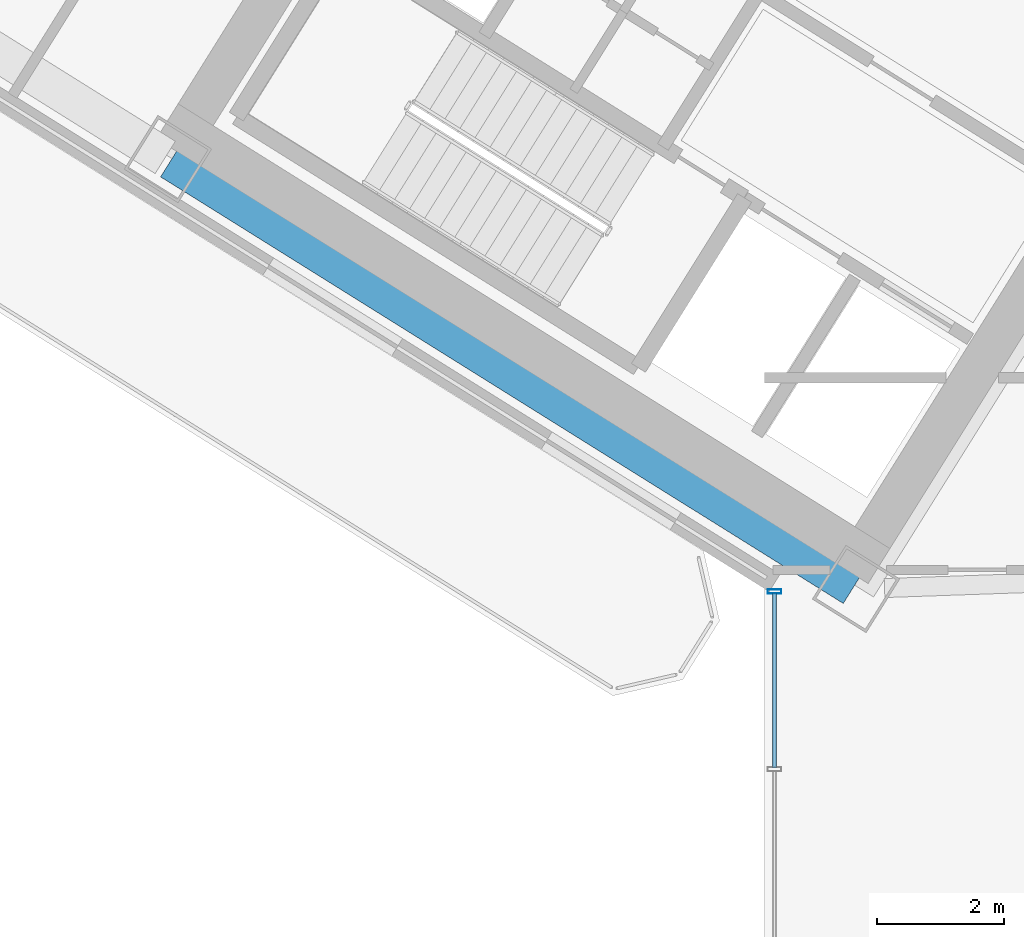
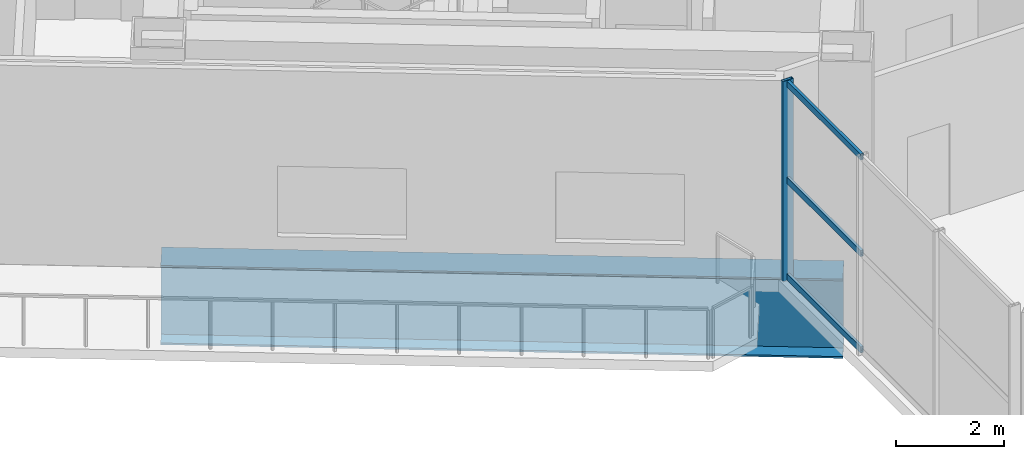
# One storey, part 5 of 22: 4 members, 1 beam, 1 element without a shape of its own.
"""IFC4 building model written with IfcOpenShell, lengths in metres."""

from ifc_helpers import new_model, si_unit, direction, frame, origin, origin_2d, place, context, subcontext, project, spatial, hollow_rectangle, i_section, extrude, source, transform, mapped, material, material_profile, profile_set, type_object, element, aggregate, save


model = new_model("IFC4")

# Units and contexts
model_context = context("Model", 3, precision=1e-05, world=origin(), true_north=direction((0.0, 1.0)))
body_context = subcontext(model_context, "Body", "Model", "MODEL_VIEW")
ifc_project = project(units=[si_unit("LENGTHUNIT", "METRE"), si_unit("AREAUNIT", "SQUARE_METRE"), si_unit("VOLUMEUNIT", "CUBIC_METRE"), si_unit("PLANEANGLEUNIT", "RADIAN"), si_unit("MASSUNIT", "GRAM", prefix="KILO")], contexts=[model_context])

# Site, building, storey
site_placement = place(None, origin())
site = spatial("IfcSite", under=ifc_project, at=site_placement, CompositionType="ELEMENT")
building_placement = place(site_placement, origin())
building = spatial("IfcBuilding", under=site, at=building_placement, Name="Tlacorven Tower", CompositionType="ELEMENT")
storey_placement = place(building_placement, frame((0.0, 0.0, 71.699951171875)))
storey = spatial("IfcBuildingStorey", under=building, at=storey_placement, Name="L18", CompositionType="ELEMENT", Elevation=71.699951171875)

# Beam
ifc_material_1 = material(Name="Steel S460M", Category="steel")
ifc_material_profile_1 = material_profile(ifc_material_1, i_section(OverallWidth=0.60009765625, OverallDepth=1.800048828125, WebThickness=0.028076171875, FlangeThickness=0.0400390625, at=origin_2d()), Name="PG 1800X600X28X40")
ifc_profile_set_1 = profile_set([ifc_material_profile_1], Name="Steel S460M")
beam_type = type_object("IfcBeamType", Name="BM-TRG-1800", PredefinedType="USERDEFINED", material=ifc_profile_set_1)
shared_shape_1 = source(origin(), body_context, "Body", "SweptSolid", [
    extrude(i_section(OverallWidth=0.60009765625, OverallDepth=1.800048828125, WebThickness=0.028076171875, FlangeThickness=0.0400390625, at=origin_2d()), origin(), (0.0, 0.0, 1.0), 12.699951171875),
])
beam_placement = place(storey_placement, frame((33.003662109375, 12.11328125, -1.179931640625), z_axis=(-0.848043660692, 0.529926362394, 0.0), x_axis=(-0.529926362394, -0.848043660692, 0.0)))
element("IfcBeam", 1, at=beam_placement, inside=storey, type_object=beam_type, Name="L18 beam BM-L18-WL4-1", ObjectType="TRANSFER GIRDER", PredefinedType="USERDEFINED", context=body_context, shape_type="MappedRepresentation", body=[
    mapped(shared_shape_1, transform((0.0, 0.0, 0.0), scale=1.0)),
])

# Curtain wall, members
ifc_material_2 = material(Name="Dark solar low-E double glazing in aluminium frame", Category="aluminium")
curtain_wall_type = type_object("IfcCurtainWallType", Name="CW-TWR-LOW", PredefinedType="USERDEFINED", material=ifc_material_2)
curtain_wall_placement = place(storey_placement, origin())
curtain_wall = element("IfcCurtainWall", 2, at=curtain_wall_placement, inside=storey, type_object=curtain_wall_type, Name="L18 CW-TWR-LOW Curtain Wall 102", ObjectType="UNITISED CURTAIN WALL", PredefinedType="USERDEFINED")
ifc_material_3 = material(Name="Aluminium 6063-T6 anodised", Category="aluminium")
ifc_material_profile_2 = material_profile(ifc_material_3, hollow_rectangle(XDim=0.070068359375, YDim=0.219970703125, WallThickness=0.0048828125, at=origin_2d()), Name="ALU MULLION 70X220")
ifc_profile_set_2 = profile_set([ifc_material_profile_2], Name="Aluminium 6063-T6 anodised")
member_type_1 = type_object("IfcMemberType", Name="CWM-01", PredefinedType="MULLION", material=ifc_profile_set_2)
shared_shape_2 = source(origin(), body_context, "Body", "SweptSolid", [
    extrude(hollow_rectangle(XDim=0.070068359375, YDim=0.219970703125, WallThickness=0.0048828125, at=origin_2d()), origin(), (0.0, 0.0, 1.0), 4.550048828125),
])
member_1_placement = place(storey_placement, frame((31.760009765625, 12.048095703125, -0.02001953125), z_axis=(0.0, 0.0, 1.0), x_axis=(0.0, 1.0, 0.0)))
member_1 = element("IfcMember", 3, at=member_1_placement, type_object=member_type_1, Name="CW-L18-102 Mullion 4", PredefinedType="MULLION", context=body_context, shape_type="MappedRepresentation", body=[
    mapped(shared_shape_2, transform((0.0, 0.0, 0.0), scale=1.0)),
])
ifc_material_profile_3 = material_profile(ifc_material_3, hollow_rectangle(XDim=0.06005859375, YDim=0.139892578125, WallThickness=0.00390625, at=origin_2d()), Name="ALU TRANSOM 60X140")
ifc_profile_set_3 = profile_set([ifc_material_profile_3], Name="Aluminium 6063-T6 anodised")
member_type_2 = type_object("IfcMemberType", Name="CWT-02", PredefinedType="USERDEFINED", material=ifc_profile_set_3)
shared_shape_3 = source(origin(), body_context, "Body", "SweptSolid", [
    extrude(hollow_rectangle(XDim=0.06005859375, YDim=0.139892578125, WallThickness=0.00390625, at=origin_2d()), origin(), (0.0, 0.0, 1.0), 2.758056640625),
])
member_2_placement = place(storey_placement, frame((31.760009765625, 9.26708984375, 0.070068359375), z_axis=(0.0, 1.0, 0.0), x_axis=(-1.0, 0.0, 0.0)))
member_2 = element("IfcMember", 4, at=member_2_placement, type_object=member_type_2, Name="CW-L18-102 Transom 7", ObjectType="TRANSOM", PredefinedType="USERDEFINED", context=body_context, shape_type="MappedRepresentation", body=[
    mapped(shared_shape_3, transform((0.0, 0.0, 0.0), scale=1.0)),
])
member_3_placement = place(storey_placement, frame((31.760009765625, 9.26708984375, 2.260009765625), z_axis=(0.0, 1.0, 0.0), x_axis=(-1.0, 0.0, 0.0)))
member_3 = element("IfcMember", 5, at=member_3_placement, type_object=member_type_2, Name="CW-L18-102 Transom 8", ObjectType="TRANSOM", PredefinedType="USERDEFINED", context=body_context, shape_type="MappedRepresentation", body=[
    mapped(shared_shape_3, transform((0.0, 0.0, 0.0), scale=1.0)),
])
member_4_placement = place(storey_placement, frame((31.760009765625, 9.26708984375, 4.449951171875), z_axis=(0.0, 1.0, 0.0), x_axis=(-1.0, 0.0, 0.0)))
member_4 = element("IfcMember", 6, at=member_4_placement, type_object=member_type_2, Name="CW-L18-102 Transom 9", ObjectType="TRANSOM", PredefinedType="USERDEFINED", context=body_context, shape_type="MappedRepresentation", body=[
    mapped(shared_shape_3, transform((0.0, 0.0, 0.0), scale=1.0)),
])
aggregate(curtain_wall, [member_1, member_2, member_3, member_4])

save(model, "model.ifc")
